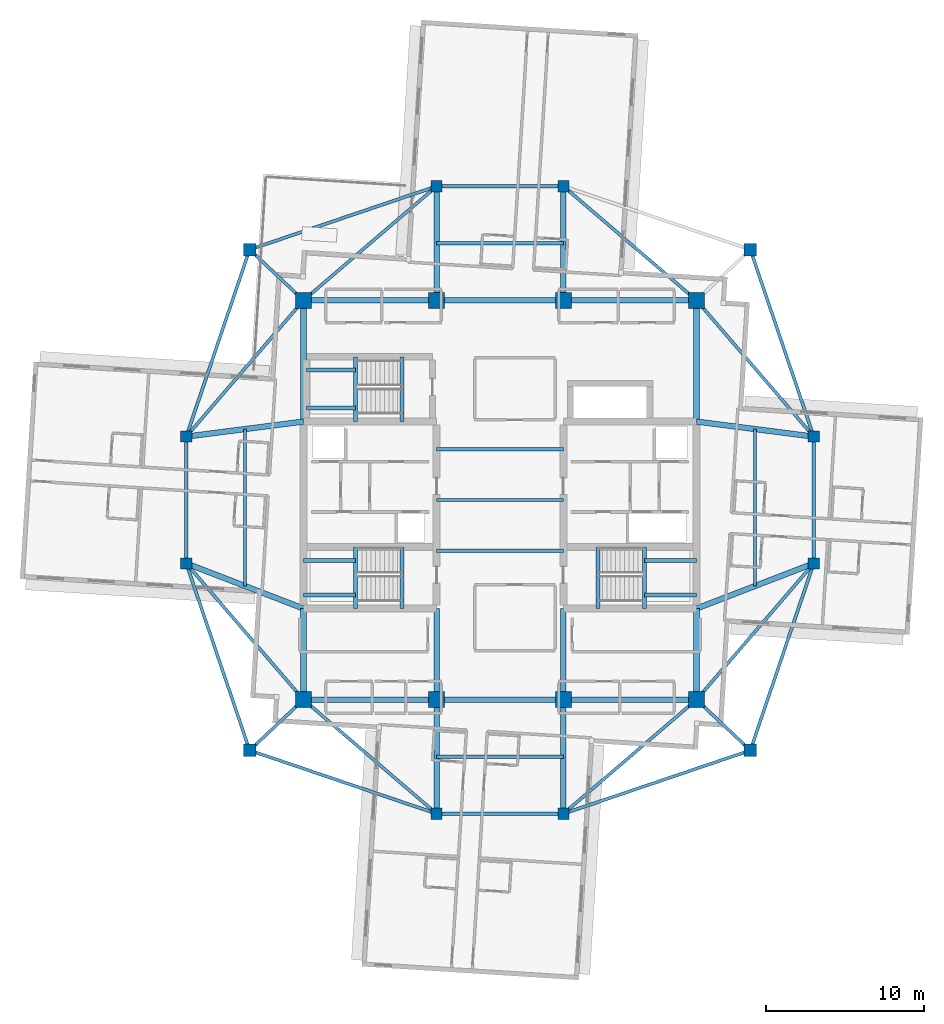
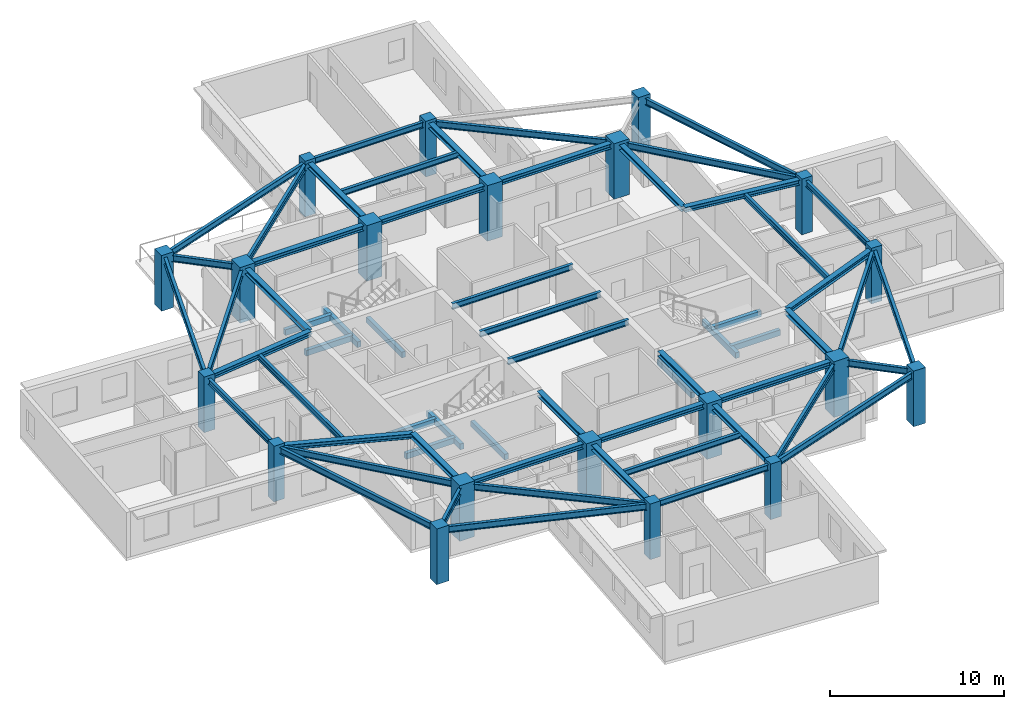
# One storey, part 1 of 12: 61 beams, 20 columns.
"""IFC4 building model written with IfcOpenShell, lengths in metres."""

from ifc_helpers import new_model, si_unit, direction, frame, origin, origin_2d, place, context, subcontext, project, spatial, rectangle, i_section, extrude, material, material_profile, profile_set, type_object, element, save


model = new_model("IFC4")

# Units and contexts
model_context = context("Model", 3, precision=1e-05, world=origin(), true_north=direction((0.0, 1.0)))
body_context = subcontext(model_context, "Body", "Model", "MODEL_VIEW")
ifc_project = project(units=[si_unit("LENGTHUNIT", "METRE"), si_unit("AREAUNIT", "SQUARE_METRE"), si_unit("VOLUMEUNIT", "CUBIC_METRE"), si_unit("PLANEANGLEUNIT", "RADIAN"), si_unit("MASSUNIT", "GRAM", prefix="KILO")], contexts=[model_context])

# Site, building, storey
site_placement = place(None, origin())
site = spatial("IfcSite", under=ifc_project, at=site_placement, CompositionType="ELEMENT")
building_placement = place(site_placement, origin())
building = spatial("IfcBuilding", under=site, at=building_placement, Name="Qingluan Cross Belvedere", CompositionType="ELEMENT")
storey_placement = place(building_placement, frame((0.0, 0.0, 249.89990234375)))
storey = spatial("IfcBuildingStorey", under=building, at=storey_placement, Name="L62", CompositionType="ELEMENT", Elevation=249.89990234375)

# Columns
ifc_material_1 = material(Name="Concrete C50", Category="concrete")
ifc_material_profile_1 = material_profile(ifc_material_1, rectangle(XDim=1.0, YDim=1.0, at=origin_2d()), Name="RC1000x1000")
ifc_profile_set_1 = profile_set([ifc_material_profile_1], Name="Concrete C50")
column_type_1 = type_object("IfcColumnType", Name="Column_RC1000x1000", PredefinedType="COLUMN", material=ifc_profile_set_1)
for number, where, z_axis, x_axis, name in (
    (1, (-12.39990234375, -12.60009765625, 0.0), (0.0, 0.0, 1.0), (1.0, 0.0, 0.0), "Hub column L62-HC1"),
    (2, (12.39990234375, -12.60009765625, 0.0), (0.0, 0.0, 1.0), (1.0, 0.0, 0.0), "Hub column L62-HC2"),
    (3, (12.39990234375, 12.60009765625, 0.0), (0.0, 0.0, 1.0), (1.0, 0.0, 0.0), "Hub column L62-HC3"),
    (4, (-12.39990234375, 12.60009765625, 0.0), (0.0, 0.0, 1.0), (1.0, 0.0, 0.0), "Hub column L62-HC4"),
    (5, (-4.0, -12.60009765625, 0.0), (0.0, 0.0, 1.0), (1.0, 0.0, 0.0), "Hub column L62-HC5"),
    (6, (4.0, -12.60009765625, 0.0), (0.0, 0.0, 1.0), (1.0, 0.0, 0.0), "Hub column L62-HC6"),
    (7, (4.0, 12.60009765625, 0.0), (0.0, 0.0, 1.0), (1.0, 0.0, 0.0), "Hub column L62-HC7"),
    (8, (-4.0, 12.60009765625, 0.0), (0.0, 0.0, 1.0), (1.0, 0.0, 0.0), "Hub column L62-HC8"),
):
    element("IfcColumn", number, at=place(storey_placement, frame(where, z_axis=z_axis, x_axis=x_axis)), inside=storey, type_object=column_type_1, Name=name, PredefinedType="COLUMN", context=body_context, shape_type="SweptSolid", body=[
        extrude(rectangle(XDim=1.0, YDim=1.0, at=origin_2d()), origin(), (0.0, 0.0, 1.0), 3.900146484375),
    ])
ifc_material_2 = material(Name="Concrete C50", Category="concrete")
ifc_material_profile_2 = material_profile(ifc_material_2, rectangle(XDim=0.699951171875, YDim=0.699951171875, at=origin_2d()), Name="RC700x700")
ifc_profile_set_2 = profile_set([ifc_material_profile_2], Name="Concrete C50")
column_type_2 = type_object("IfcColumnType", Name="Column_RC700x700", PredefinedType="COLUMN", material=ifc_profile_set_2)
for number, where, z_axis, x_axis, name in (
    (9, (19.800048828125, -4.0, 0.0), (0.0, 0.0, 1.0), (1.0, 0.0, 0.0), "Arm column L62-EIA"),
    (10, (19.800048828125, 4.0, 0.0), (0.0, 0.0, 1.0), (1.0, 0.0, 0.0), "Arm column L62-EIB"),
    (11, (-19.800048828125, -4.0, 0.0), (0.0, 0.0, 1.0), (1.0, 0.0, 0.0), "Arm column L62-WIA"),
    (12, (-19.800048828125, 4.0, 0.0), (0.0, 0.0, 1.0), (1.0, 0.0, 0.0), "Arm column L62-WIB"),
    (13, (-4.0, -19.800048828125, 0.0), (0.0, 0.0, 1.0), (1.0, 0.0, 0.0), "Arm column L62-SIA"),
    (14, (4.0, -19.800048828125, 0.0), (0.0, 0.0, 1.0), (1.0, 0.0, 0.0), "Arm column L62-SIB"),
    (15, (-4.0, 19.800048828125, 0.0), (0.0, 0.0, 1.0), (1.0, 0.0, 0.0), "Arm column L62-NIA"),
    (16, (4.0, 19.800048828125, 0.0), (0.0, 0.0, 1.0), (1.0, 0.0, 0.0), "Arm column L62-NIB"),
):
    element("IfcColumn", number, at=place(storey_placement, frame(where, z_axis=z_axis, x_axis=x_axis)), inside=storey, type_object=column_type_2, Name=name, PredefinedType="COLUMN", context=body_context, shape_type="SweptSolid", body=[
        extrude(rectangle(XDim=0.699951171875, YDim=0.699951171875, at=origin_2d()), origin(), (0.0, 0.0, 1.0), 3.900146484375),
    ])
ifc_material_3 = material(Name="Concrete C50", Category="concrete")
ifc_material_profile_3 = material_profile(ifc_material_3, rectangle(XDim=0.800048828125, YDim=0.800048828125, at=origin_2d()), Name="RC800x800")
ifc_profile_set_3 = profile_set([ifc_material_profile_3], Name="Concrete C50")
column_type_3 = type_object("IfcColumnType", Name="Column_RC800x800", PredefinedType="COLUMN", material=ifc_profile_set_3)
for number, where, z_axis, x_axis, name in (
    (17, (15.800048828125, 15.800048828125, 0.0), (0.0, 0.0, 1.0), (1.0, 0.0, 0.0), "Corner column L62-RNE"),
    (18, (-15.800048828125, 15.800048828125, 0.0), (0.0, 0.0, 1.0), (1.0, 0.0, 0.0), "Corner column L62-RNW"),
    (19, (-15.800048828125, -15.800048828125, 0.0), (0.0, 0.0, 1.0), (1.0, 0.0, 0.0), "Corner column L62-RSW"),
    (20, (15.800048828125, -15.800048828125, 0.0), (0.0, 0.0, 1.0), (1.0, 0.0, 0.0), "Corner column L62-RSE"),
):
    element("IfcColumn", number, at=place(storey_placement, frame(where, z_axis=z_axis, x_axis=x_axis)), inside=storey, type_object=column_type_3, Name=name, PredefinedType="COLUMN", context=body_context, shape_type="SweptSolid", body=[
        extrude(rectangle(XDim=0.800048828125, YDim=0.800048828125, at=origin_2d()), origin(), (0.0, 0.0, 1.0), 3.900146484375),
    ])

# Beams
ifc_material_4 = material(Name="Concrete C45", Category="concrete")
ifc_material_profile_4 = material_profile(ifc_material_4, rectangle(XDim=0.25, YDim=0.39990234375, at=origin_2d()), Name="RC250x400")
ifc_profile_set_4 = profile_set([ifc_material_profile_4], Name="Concrete C45")
beam_type_1 = type_object("IfcBeamType", Name="RC_Lintel_RC250x400", PredefinedType="LINTEL", material=ifc_profile_set_4)
for number, where, z_axis, x_axis, name in (
    (21, (-6.179931640625, -6.85009765625, -0.199951171875), (0.0, 1.0, 0.0), (-1.0, 0.0, 0.0), "Stair ST1 landing beam L62"),
    (22, (6.179931640625, -6.85009765625, -0.199951171875), (0.0, 1.0, 0.0), (-1.0, 0.0, 0.0), "Stair ST2 landing beam L62"),
):
    element("IfcBeam", number, at=place(storey_placement, frame(where, z_axis=z_axis, x_axis=x_axis)), inside=storey, type_object=beam_type_1, Name=name, PredefinedType="LINTEL", context=body_context, shape_type="SweptSolid", body=[
        extrude(rectangle(XDim=0.25, YDim=0.39990234375, at=origin_2d()), origin(), (0.0, 0.0, 1.0), 3.89013671875),
    ])
beam_1_placement = place(storey_placement, frame((-6.179931640625, 4.949951171875, -0.199951171875), z_axis=(0.0, 1.0, 0.0), x_axis=(-1.0, 0.0, 0.0)))
element("IfcBeam", 23, at=beam_1_placement, inside=storey, type_object=beam_type_1, Name="Stair ST3 landing beam L62", PredefinedType="LINTEL", context=body_context, shape_type="SweptSolid", body=[
    extrude(rectangle(XDim=0.25, YDim=0.39990234375, at=origin_2d()), origin(), (0.0, 0.0, 1.0), 4.090087890625),
])
beam_2_placement = place(storey_placement, frame((-9.1298828125, -6.85009765625, 1.550048828125), z_axis=(0.0, 1.0, 0.0), x_axis=(-1.0, 0.0, 0.0)))
element("IfcBeam", 24, at=beam_2_placement, inside=storey, type_object=beam_type_1, Name="Stair ST1 beam A L62", PredefinedType="LINTEL", context=body_context, shape_type="SweptSolid", body=[
    extrude(rectangle(XDim=0.25, YDim=0.39990234375, at=origin_2d()), origin(), (0.0, 0.0, 1.0), 3.89013671875),
])
for number, where, z_axis, x_axis, name in (
    (25, (-12.39990234375, -6.0, 1.550048828125), (1.0, 0.0, 0.0), (0.0, 1.0, 0.0), "Stair ST1 beam B L62"),
    (26, (-12.39990234375, -3.81005859375, 1.550048828125), (1.0, 0.0, 0.0), (0.0, 1.0, 0.0), "Stair ST1 beam C L62"),
):
    element("IfcBeam", number, at=place(storey_placement, frame(where, z_axis=z_axis, x_axis=x_axis)), inside=storey, type_object=beam_type_1, Name=name, PredefinedType="LINTEL", context=body_context, shape_type="SweptSolid", body=[
        extrude(rectangle(XDim=0.25, YDim=0.39990234375, at=origin_2d()), origin(), (0.0, 0.0, 1.0), 3.27001953125),
    ])
beam_3_placement = place(storey_placement, frame((9.1298828125, -6.85009765625, 1.550048828125), z_axis=(0.0, 1.0, 0.0), x_axis=(-1.0, 0.0, 0.0)))
element("IfcBeam", 27, at=beam_3_placement, inside=storey, type_object=beam_type_1, Name="Stair ST2 beam A L62", PredefinedType="LINTEL", context=body_context, shape_type="SweptSolid", body=[
    extrude(rectangle(XDim=0.25, YDim=0.39990234375, at=origin_2d()), origin(), (0.0, 0.0, 1.0), 3.89013671875),
])
for number, where, z_axis, x_axis, name in (
    (28, (12.39990234375, -6.0, 1.550048828125), (-1.0, 0.0, 0.0), (0.0, -1.0, 0.0), "Stair ST2 beam B L62"),
    (29, (12.39990234375, -3.81005859375, 1.550048828125), (-1.0, 0.0, 0.0), (0.0, -1.0, 0.0), "Stair ST2 beam C L62"),
):
    element("IfcBeam", number, at=place(storey_placement, frame(where, z_axis=z_axis, x_axis=x_axis)), inside=storey, type_object=beam_type_1, Name=name, PredefinedType="LINTEL", context=body_context, shape_type="SweptSolid", body=[
        extrude(rectangle(XDim=0.25, YDim=0.39990234375, at=origin_2d()), origin(), (0.0, 0.0, 1.0), 3.27001953125),
    ])
beam_4_placement = place(storey_placement, frame((-9.1298828125, 4.949951171875, 1.550048828125), z_axis=(0.0, 1.0, 0.0), x_axis=(-1.0, 0.0, 0.0)))
element("IfcBeam", 30, at=beam_4_placement, inside=storey, type_object=beam_type_1, Name="Stair ST3 beam A L62", PredefinedType="LINTEL", context=body_context, shape_type="SweptSolid", body=[
    extrude(rectangle(XDim=0.25, YDim=0.39990234375, at=origin_2d()), origin(), (0.0, 0.0, 1.0), 4.090087890625),
])
for number, where, z_axis, x_axis, name in (
    (31, (-12.219970703125, 5.800048828125, 1.550048828125), (1.0, 0.0, 0.0), (0.0, 1.0, 0.0), "Stair ST3 beam B L62"),
    (32, (-12.219970703125, 8.18994140625, 1.550048828125), (1.0, 0.0, 0.0), (0.0, 1.0, 0.0), "Stair ST3 beam C L62"),
):
    element("IfcBeam", number, at=place(storey_placement, frame(where, z_axis=z_axis, x_axis=x_axis)), inside=storey, type_object=beam_type_1, Name=name, PredefinedType="LINTEL", context=body_context, shape_type="SweptSolid", body=[
        extrude(rectangle(XDim=0.25, YDim=0.39990234375, at=origin_2d()), origin(), (0.0, 0.0, 1.0), 3.090087890625),
    ])
ifc_material_5 = material(Name="Steel Q420GJB", Category="steel")
ifc_material_profile_5 = material_profile(ifc_material_5, i_section(OverallWidth=0.199951171875, OverallDepth=0.39990234375, WebThickness=0.008056640625, FlangeThickness=0.012939453125, FilletRadius=0.012939453125, at=origin_2d()), Name="HN400x200x8x13")
ifc_profile_set_5 = profile_set([ifc_material_profile_5], Name="Steel Q420GJB")
beam_type_2 = type_object("IfcBeamType", Name="Steel_Beam_HN400x200x8x13", PredefinedType="JOIST", material=ifc_profile_set_5)
for number, where, z_axis, x_axis, name in (
    (33, (-4.0, -3.199951171875, 3.5), (1.0, 0.0, 0.0), (0.0, 1.0, 0.0), "Hall beam L62-CH1"),
    (34, (-4.0, 0.0, 3.5), (1.0, 0.0, 0.0), (0.0, 1.0, 0.0), "Hall beam L62-CH2"),
    (35, (-4.0, 3.199951171875, 3.5), (1.0, 0.0, 0.0), (0.0, 1.0, 0.0), "Hall beam L62-CH3"),
    (36, (19.800048828125, -4.0, 3.5), (0.0, 1.0, 0.0), (-1.0, 0.0, 0.0), "Arm E tie L62"),
):
    element("IfcBeam", number, at=place(storey_placement, frame(where, z_axis=z_axis, x_axis=x_axis)), inside=storey, type_object=beam_type_2, Name=name, PredefinedType="JOIST", context=body_context, shape_type="SweptSolid", body=[
        extrude(i_section(OverallWidth=0.199951171875, OverallDepth=0.39990234375, WebThickness=0.008056640625, FlangeThickness=0.012939453125, FilletRadius=0.012939453125, at=origin_2d()), origin(), (0.0, 0.0, 1.0), 8.0),
    ])
beam_5_placement = place(storey_placement, frame((16.10009765625, -5.425048828125, 3.5), z_axis=(0.0, 1.0, 0.0), x_axis=(-1.0, 0.0, 0.0)))
element("IfcBeam", 37, at=beam_5_placement, inside=storey, type_object=beam_type_2, Name="Arm E beam L62", PredefinedType="JOIST", context=body_context, shape_type="SweptSolid", body=[
    extrude(i_section(OverallWidth=0.199951171875, OverallDepth=0.39990234375, WebThickness=0.008056640625, FlangeThickness=0.012939453125, FilletRadius=0.012939453125, at=origin_2d()), origin(), (0.0, 0.0, 1.0), 9.900146484375),
])
beam_6_placement = place(storey_placement, frame((-19.800048828125, -4.0, 3.5), z_axis=(0.0, 1.0, 0.0), x_axis=(-1.0, 0.0, 0.0)))
element("IfcBeam", 38, at=beam_6_placement, inside=storey, type_object=beam_type_2, Name="Arm W tie L62", PredefinedType="JOIST", context=body_context, shape_type="SweptSolid", body=[
    extrude(i_section(OverallWidth=0.199951171875, OverallDepth=0.39990234375, WebThickness=0.008056640625, FlangeThickness=0.012939453125, FilletRadius=0.012939453125, at=origin_2d()), origin(), (0.0, 0.0, 1.0), 8.0),
])
beam_7_placement = place(storey_placement, frame((-16.10009765625, -5.425048828125, 3.5), z_axis=(0.0, 1.0, 0.0), x_axis=(-1.0, 0.0, 0.0)))
element("IfcBeam", 39, at=beam_7_placement, inside=storey, type_object=beam_type_2, Name="Arm W beam L62", PredefinedType="JOIST", context=body_context, shape_type="SweptSolid", body=[
    extrude(i_section(OverallWidth=0.199951171875, OverallDepth=0.39990234375, WebThickness=0.008056640625, FlangeThickness=0.012939453125, FilletRadius=0.012939453125, at=origin_2d()), origin(), (0.0, 0.0, 1.0), 9.900146484375),
])
for number, where, z_axis, x_axis, name in (
    (40, (-4.0, 19.800048828125, 3.5), (1.0, 0.0, 0.0), (0.0, 1.0, 0.0), "Arm N tie L62"),
    (41, (-4.0, 16.199951171875, 3.5), (1.0, 0.0, 0.0), (0.0, 1.0, 0.0), "Arm N beam L62"),
    (42, (-4.0, -19.800048828125, 3.5), (1.0, 0.0, 0.0), (0.0, 1.0, 0.0), "Arm S tie L62"),
    (43, (-4.0, -16.199951171875, 3.5), (1.0, 0.0, 0.0), (0.0, 1.0, 0.0), "Arm S beam L62"),
):
    element("IfcBeam", number, at=place(storey_placement, frame(where, z_axis=z_axis, x_axis=x_axis)), inside=storey, type_object=beam_type_2, Name=name, PredefinedType="JOIST", context=body_context, shape_type="SweptSolid", body=[
        extrude(i_section(OverallWidth=0.199951171875, OverallDepth=0.39990234375, WebThickness=0.008056640625, FlangeThickness=0.012939453125, FilletRadius=0.012939453125, at=origin_2d()), origin(), (0.0, 0.0, 1.0), 8.0),
    ])
ifc_material_6 = material(Name="Steel Q420GJB", Category="steel")
ifc_material_profile_6 = material_profile(ifc_material_6, i_section(OverallWidth=0.199951171875, OverallDepth=0.449951171875, WebThickness=0.009033203125, FlangeThickness=0.013916015625, FilletRadius=0.01611328125, at=origin_2d()), Name="HN450x200x9x14")
ifc_profile_set_6 = profile_set([ifc_material_profile_6], Name="Steel Q420GJB")
beam_type_3 = type_object("IfcBeamType", Name="Steel_Beam_HN450x200x9x14", PredefinedType="JOIST", material=ifc_profile_set_6)
beam_8_placement = place(storey_placement, frame((15.800048828125, 15.800048828125, 3.47509765625), z_axis=(0.321038089628, -0.947066283324, 0.0), x_axis=(0.947066283324, 0.321038089628, 0.0)))
element("IfcBeam", 44, at=beam_8_placement, inside=storey, type_object=beam_type_3, Name="Corner beam 3 L62-RNE", PredefinedType="JOIST", context=body_context, shape_type="SweptSolid", body=[
    extrude(i_section(OverallWidth=0.199951171875, OverallDepth=0.449951171875, WebThickness=0.009033203125, FlangeThickness=0.013916015625, FilletRadius=0.01611328125, at=origin_2d()), origin(), (0.0, 0.0, 1.0), 12.45947265625),
])
beam_9_placement = place(storey_placement, frame((12.39990234375, 12.60009765625, 3.47509765625), z_axis=(0.652245077546, -0.75800815221, 0.0), x_axis=(0.75800815221, 0.652245077546, 0.0)))
element("IfcBeam", 45, at=beam_9_placement, inside=storey, type_object=beam_type_3, Name="Corner beam 4 L62-RNE", PredefinedType="JOIST", context=body_context, shape_type="SweptSolid", body=[
    extrude(i_section(OverallWidth=0.199951171875, OverallDepth=0.449951171875, WebThickness=0.009033203125, FlangeThickness=0.013916015625, FilletRadius=0.01611328125, at=origin_2d()), origin(), (0.0, 0.0, 1.0), 11.345703125),
])
beam_10_placement = place(storey_placement, frame((12.39990234375, 12.60009765625, 3.47509765625), z_axis=(-0.759255044656, 0.650793190779, 0.0), x_axis=(-0.650793190779, -0.759255044656, 0.0)))
element("IfcBeam", 46, at=beam_10_placement, inside=storey, type_object=beam_type_3, Name="Corner beam 5 L62-RNE", PredefinedType="JOIST", context=body_context, shape_type="SweptSolid", body=[
    extrude(i_section(OverallWidth=0.199951171875, OverallDepth=0.449951171875, WebThickness=0.009033203125, FlangeThickness=0.013916015625, FilletRadius=0.01611328125, at=origin_2d()), origin(), (0.0, 0.0, 1.0), 11.063232421875),
])
beam_11_placement = place(storey_placement, frame((-12.39990234375, 12.60009765625, 3.455078125), z_axis=(-0.728219948308, 0.685343495546, 0.0), x_axis=(-0.685343495546, -0.728219948308, 0.0)))
element("IfcBeam", 47, at=beam_11_placement, inside=storey, type_object=beam_type_3, Name="Corner beam 1 L62-RNW", PredefinedType="JOIST", context=body_context, shape_type="SweptSolid", body=[
    extrude(i_section(OverallWidth=0.199951171875, OverallDepth=0.449951171875, WebThickness=0.009033203125, FlangeThickness=0.013916015625, FilletRadius=0.01611328125, at=origin_2d()), origin(), (0.0, 0.0, 1.0), 4.669189453125),
])
for number, where, z_axis, x_axis, name in (
    (48, (-15.800048828125, 15.800048828125, 3.455078125), (0.947066283324, 0.321038089628, 0.0), (-0.321038089628, 0.947066283324, 0.0), "Corner beam 2 L62-RNW"),
    (49, (-15.800048828125, 15.800048828125, 3.47509765625), (-0.321038089628, -0.947066283324, 0.0), (0.947066283324, -0.321038089628, 0.0), "Corner beam 3 L62-RNW"),
):
    element("IfcBeam", number, at=place(storey_placement, frame(where, z_axis=z_axis, x_axis=x_axis)), inside=storey, type_object=beam_type_3, Name=name, PredefinedType="JOIST", context=body_context, shape_type="SweptSolid", body=[
        extrude(i_section(OverallWidth=0.199951171875, OverallDepth=0.449951171875, WebThickness=0.009033203125, FlangeThickness=0.013916015625, FilletRadius=0.01611328125, at=origin_2d()), origin(), (0.0, 0.0, 1.0), 12.45947265625),
    ])
beam_12_placement = place(storey_placement, frame((-12.39990234375, 12.60009765625, 3.455078125), z_axis=(-0.652245077546, -0.75800815221, 0.0), x_axis=(0.75800815221, -0.652245077546, 0.0)))
element("IfcBeam", 50, at=beam_12_placement, inside=storey, type_object=beam_type_3, Name="Corner beam 4 L62-RNW", PredefinedType="JOIST", context=body_context, shape_type="SweptSolid", body=[
    extrude(i_section(OverallWidth=0.199951171875, OverallDepth=0.449951171875, WebThickness=0.009033203125, FlangeThickness=0.013916015625, FilletRadius=0.01611328125, at=origin_2d()), origin(), (0.0, 0.0, 1.0), 11.345703125),
])
beam_13_placement = place(storey_placement, frame((-12.39990234375, 12.60009765625, 3.455078125), z_axis=(0.759255044656, 0.650793190779, 0.0), x_axis=(-0.650793190779, 0.759255044656, 0.0)))
element("IfcBeam", 51, at=beam_13_placement, inside=storey, type_object=beam_type_3, Name="Corner beam 5 L62-RNW", PredefinedType="JOIST", context=body_context, shape_type="SweptSolid", body=[
    extrude(i_section(OverallWidth=0.199951171875, OverallDepth=0.449951171875, WebThickness=0.009033203125, FlangeThickness=0.013916015625, FilletRadius=0.01611328125, at=origin_2d()), origin(), (0.0, 0.0, 1.0), 11.063232421875),
])
beam_14_placement = place(storey_placement, frame((-12.39990234375, -12.60009765625, 3.47509765625), z_axis=(-0.728219948308, -0.685343495546, 0.0), x_axis=(0.685343495546, -0.728219948308, 0.0)))
element("IfcBeam", 52, at=beam_14_placement, inside=storey, type_object=beam_type_3, Name="Corner beam 1 L62-RSW", PredefinedType="JOIST", context=body_context, shape_type="SweptSolid", body=[
    extrude(i_section(OverallWidth=0.199951171875, OverallDepth=0.449951171875, WebThickness=0.009033203125, FlangeThickness=0.013916015625, FilletRadius=0.01611328125, at=origin_2d()), origin(), (0.0, 0.0, 1.0), 4.669189453125),
])
for number, where, z_axis, x_axis, name in (
    (53, (-15.800048828125, -15.800048828125, 3.47509765625), (0.947066283324, -0.321038089628, 0.0), (0.321038089628, 0.947066283324, 0.0), "Corner beam 2 L62-RSW"),
    (54, (-15.800048828125, -15.800048828125, 3.47509765625), (-0.321038089628, 0.947066283324, 0.0), (-0.947066283324, -0.321038089628, 0.0), "Corner beam 3 L62-RSW"),
):
    element("IfcBeam", number, at=place(storey_placement, frame(where, z_axis=z_axis, x_axis=x_axis)), inside=storey, type_object=beam_type_3, Name=name, PredefinedType="JOIST", context=body_context, shape_type="SweptSolid", body=[
        extrude(i_section(OverallWidth=0.199951171875, OverallDepth=0.449951171875, WebThickness=0.009033203125, FlangeThickness=0.013916015625, FilletRadius=0.01611328125, at=origin_2d()), origin(), (0.0, 0.0, 1.0), 12.45947265625),
    ])
beam_15_placement = place(storey_placement, frame((-12.39990234375, -12.60009765625, 3.47509765625), z_axis=(-0.652245077546, 0.75800815221, 0.0), x_axis=(-0.75800815221, -0.652245077546, 0.0)))
element("IfcBeam", 55, at=beam_15_placement, inside=storey, type_object=beam_type_3, Name="Corner beam 4 L62-RSW", PredefinedType="JOIST", context=body_context, shape_type="SweptSolid", body=[
    extrude(i_section(OverallWidth=0.199951171875, OverallDepth=0.449951171875, WebThickness=0.009033203125, FlangeThickness=0.013916015625, FilletRadius=0.01611328125, at=origin_2d()), origin(), (0.0, 0.0, 1.0), 11.345703125),
])
beam_16_placement = place(storey_placement, frame((-12.39990234375, -12.60009765625, 3.47509765625), z_axis=(0.759255044656, -0.650793190779, 0.0), x_axis=(0.650793190779, 0.759255044656, 0.0)))
element("IfcBeam", 56, at=beam_16_placement, inside=storey, type_object=beam_type_3, Name="Corner beam 5 L62-RSW", PredefinedType="JOIST", context=body_context, shape_type="SweptSolid", body=[
    extrude(i_section(OverallWidth=0.199951171875, OverallDepth=0.449951171875, WebThickness=0.009033203125, FlangeThickness=0.013916015625, FilletRadius=0.01611328125, at=origin_2d()), origin(), (0.0, 0.0, 1.0), 11.063232421875),
])
beam_17_placement = place(storey_placement, frame((12.39990234375, -12.60009765625, 3.47509765625), z_axis=(0.728219948308, -0.685343495546, 0.0), x_axis=(0.685343495546, 0.728219948308, 0.0)))
element("IfcBeam", 57, at=beam_17_placement, inside=storey, type_object=beam_type_3, Name="Corner beam 1 L62-RSE", PredefinedType="JOIST", context=body_context, shape_type="SweptSolid", body=[
    extrude(i_section(OverallWidth=0.199951171875, OverallDepth=0.449951171875, WebThickness=0.009033203125, FlangeThickness=0.013916015625, FilletRadius=0.01611328125, at=origin_2d()), origin(), (0.0, 0.0, 1.0), 4.669189453125),
])
for number, where, z_axis, x_axis, name in (
    (58, (15.800048828125, -15.800048828125, 3.47509765625), (-0.947066283324, -0.321038089628, 0.0), (0.321038089628, -0.947066283324, 0.0), "Corner beam 2 L62-RSE"),
    (59, (15.800048828125, -15.800048828125, 3.47509765625), (0.321038089628, 0.947066283324, 0.0), (-0.947066283324, 0.321038089628, 0.0), "Corner beam 3 L62-RSE"),
):
    element("IfcBeam", number, at=place(storey_placement, frame(where, z_axis=z_axis, x_axis=x_axis)), inside=storey, type_object=beam_type_3, Name=name, PredefinedType="JOIST", context=body_context, shape_type="SweptSolid", body=[
        extrude(i_section(OverallWidth=0.199951171875, OverallDepth=0.449951171875, WebThickness=0.009033203125, FlangeThickness=0.013916015625, FilletRadius=0.01611328125, at=origin_2d()), origin(), (0.0, 0.0, 1.0), 12.45947265625),
    ])
beam_18_placement = place(storey_placement, frame((12.39990234375, -12.60009765625, 3.47509765625), z_axis=(0.652245077546, 0.75800815221, 0.0), x_axis=(-0.75800815221, 0.652245077546, 0.0)))
element("IfcBeam", 60, at=beam_18_placement, inside=storey, type_object=beam_type_3, Name="Corner beam 4 L62-RSE", PredefinedType="JOIST", context=body_context, shape_type="SweptSolid", body=[
    extrude(i_section(OverallWidth=0.199951171875, OverallDepth=0.449951171875, WebThickness=0.009033203125, FlangeThickness=0.013916015625, FilletRadius=0.01611328125, at=origin_2d()), origin(), (0.0, 0.0, 1.0), 11.345703125),
])
beam_19_placement = place(storey_placement, frame((12.39990234375, -12.60009765625, 3.47509765625), z_axis=(-0.759255044656, -0.650793190779, 0.0), x_axis=(0.650793190779, -0.759255044656, 0.0)))
element("IfcBeam", 61, at=beam_19_placement, inside=storey, type_object=beam_type_3, Name="Corner beam 5 L62-RSE", PredefinedType="JOIST", context=body_context, shape_type="SweptSolid", body=[
    extrude(i_section(OverallWidth=0.199951171875, OverallDepth=0.449951171875, WebThickness=0.009033203125, FlangeThickness=0.013916015625, FilletRadius=0.01611328125, at=origin_2d()), origin(), (0.0, 0.0, 1.0), 11.063232421875),
])
ifc_material_7 = material(Name="Steel Q420GJB", Category="steel")
ifc_material_profile_7 = material_profile(ifc_material_7, i_section(OverallWidth=0.35009765625, OverallDepth=0.35009765625, WebThickness=0.011962890625, FlangeThickness=0.01904296875, FilletRadius=0.02001953125, at=origin_2d()), Name="HW350x350x12x19")
ifc_profile_set_7 = profile_set([ifc_material_profile_7], Name="Steel Q420GJB")
beam_type_4 = type_object("IfcBeamType", Name="Steel_Girder_HW350x350x12x19", PredefinedType="USERDEFINED", material=ifc_profile_set_7)
beam_20_placement = place(storey_placement, frame((-12.39990234375, -12.60009765625, 3.525146484375), z_axis=(1.0, 0.0, 0.0), x_axis=(0.0, 1.0, 0.0)))
element("IfcBeam", 62, at=beam_20_placement, inside=storey, type_object=beam_type_4, Name="Hub girder L62-HG-S1", ObjectType="GIRDER", PredefinedType="USERDEFINED", context=body_context, shape_type="SweptSolid", body=[
    extrude(i_section(OverallWidth=0.35009765625, OverallDepth=0.35009765625, WebThickness=0.011962890625, FlangeThickness=0.01904296875, FilletRadius=0.02001953125, at=origin_2d()), origin(), (0.0, 0.0, 1.0), 8.39990234375),
])
beam_21_placement = place(storey_placement, frame((-4.0, -12.60009765625, 3.525146484375), z_axis=(1.0, 0.0, 0.0), x_axis=(0.0, 1.0, 0.0)))
element("IfcBeam", 63, at=beam_21_placement, inside=storey, type_object=beam_type_4, Name="Hub girder L62-HG-S2", ObjectType="GIRDER", PredefinedType="USERDEFINED", context=body_context, shape_type="SweptSolid", body=[
    extrude(i_section(OverallWidth=0.35009765625, OverallDepth=0.35009765625, WebThickness=0.011962890625, FlangeThickness=0.01904296875, FilletRadius=0.02001953125, at=origin_2d()), origin(), (0.0, 0.0, 1.0), 8.0),
])
for number, where, z_axis, x_axis, name in (
    (64, (4.0, -12.60009765625, 3.525146484375), (1.0, 0.0, 0.0), (0.0, 1.0, 0.0), "Hub girder L62-HG-S3"),
    (65, (-12.39990234375, 12.60009765625, 3.525146484375), (1.0, 0.0, 0.0), (0.0, 1.0, 0.0), "Hub girder L62-HG-N1"),
):
    element("IfcBeam", number, at=place(storey_placement, frame(where, z_axis=z_axis, x_axis=x_axis)), inside=storey, type_object=beam_type_4, Name=name, ObjectType="GIRDER", PredefinedType="USERDEFINED", context=body_context, shape_type="SweptSolid", body=[
        extrude(i_section(OverallWidth=0.35009765625, OverallDepth=0.35009765625, WebThickness=0.011962890625, FlangeThickness=0.01904296875, FilletRadius=0.02001953125, at=origin_2d()), origin(), (0.0, 0.0, 1.0), 8.39990234375),
    ])
beam_22_placement = place(storey_placement, frame((-4.0, 12.60009765625, 3.525146484375), z_axis=(1.0, 0.0, 0.0), x_axis=(0.0, 1.0, 0.0)))
element("IfcBeam", 66, at=beam_22_placement, inside=storey, type_object=beam_type_4, Name="Hub girder L62-HG-N2", ObjectType="GIRDER", PredefinedType="USERDEFINED", context=body_context, shape_type="SweptSolid", body=[
    extrude(i_section(OverallWidth=0.35009765625, OverallDepth=0.35009765625, WebThickness=0.011962890625, FlangeThickness=0.01904296875, FilletRadius=0.02001953125, at=origin_2d()), origin(), (0.0, 0.0, 1.0), 8.0),
])
beam_23_placement = place(storey_placement, frame((4.0, 12.60009765625, 3.525146484375), z_axis=(1.0, 0.0, 0.0), x_axis=(0.0, 1.0, 0.0)))
element("IfcBeam", 67, at=beam_23_placement, inside=storey, type_object=beam_type_4, Name="Hub girder L62-HG-N3", ObjectType="GIRDER", PredefinedType="USERDEFINED", context=body_context, shape_type="SweptSolid", body=[
    extrude(i_section(OverallWidth=0.35009765625, OverallDepth=0.35009765625, WebThickness=0.011962890625, FlangeThickness=0.01904296875, FilletRadius=0.02001953125, at=origin_2d()), origin(), (0.0, 0.0, 1.0), 8.39990234375),
])
beam_24_placement = place(storey_placement, frame((-12.39990234375, -12.60009765625, 3.525146484375), z_axis=(0.0, 1.0, 0.0), x_axis=(-1.0, 0.0, 0.0)))
element("IfcBeam", 68, at=beam_24_placement, inside=storey, type_object=beam_type_4, Name="Hub girder L62-HG-W1", ObjectType="GIRDER", PredefinedType="USERDEFINED", context=body_context, shape_type="SweptSolid", body=[
    extrude(i_section(OverallWidth=0.35009765625, OverallDepth=0.35009765625, WebThickness=0.011962890625, FlangeThickness=0.01904296875, FilletRadius=0.02001953125, at=origin_2d()), origin(), (0.0, 0.0, 1.0), 5.75),
])
beam_25_placement = place(storey_placement, frame((-12.39990234375, 4.949951171875, 3.525146484375), z_axis=(0.0, 1.0, 0.0), x_axis=(-1.0, 0.0, 0.0)))
element("IfcBeam", 69, at=beam_25_placement, inside=storey, type_object=beam_type_4, Name="Hub girder L62-HG-W2", ObjectType="GIRDER", PredefinedType="USERDEFINED", context=body_context, shape_type="SweptSolid", body=[
    extrude(i_section(OverallWidth=0.35009765625, OverallDepth=0.35009765625, WebThickness=0.011962890625, FlangeThickness=0.01904296875, FilletRadius=0.02001953125, at=origin_2d()), origin(), (0.0, 0.0, 1.0), 7.650146484375),
])
beam_26_placement = place(storey_placement, frame((12.39990234375, -12.60009765625, 3.525146484375), z_axis=(0.0, 1.0, 0.0), x_axis=(-1.0, 0.0, 0.0)))
element("IfcBeam", 70, at=beam_26_placement, inside=storey, type_object=beam_type_4, Name="Hub girder L62-HG-E1", ObjectType="GIRDER", PredefinedType="USERDEFINED", context=body_context, shape_type="SweptSolid", body=[
    extrude(i_section(OverallWidth=0.35009765625, OverallDepth=0.35009765625, WebThickness=0.011962890625, FlangeThickness=0.01904296875, FilletRadius=0.02001953125, at=origin_2d()), origin(), (0.0, 0.0, 1.0), 5.75),
])
beam_27_placement = place(storey_placement, frame((12.39990234375, 4.949951171875, 3.525146484375), z_axis=(0.0, 1.0, 0.0), x_axis=(-1.0, 0.0, 0.0)))
element("IfcBeam", 71, at=beam_27_placement, inside=storey, type_object=beam_type_4, Name="Hub girder L62-HG-E2", ObjectType="GIRDER", PredefinedType="USERDEFINED", context=body_context, shape_type="SweptSolid", body=[
    extrude(i_section(OverallWidth=0.35009765625, OverallDepth=0.35009765625, WebThickness=0.011962890625, FlangeThickness=0.01904296875, FilletRadius=0.02001953125, at=origin_2d()), origin(), (0.0, 0.0, 1.0), 7.650146484375),
])
for number, where, z_axis, x_axis, name in (
    (72, (-4.0, -12.60009765625, 3.525146484375), (0.0, 1.0, 0.0), (-1.0, 0.0, 0.0), "Hub girder L62-HG-CW"),
    (73, (4.0, -12.60009765625, 3.525146484375), (0.0, 1.0, 0.0), (-1.0, 0.0, 0.0), "Hub girder L62-HG-CE"),
):
    element("IfcBeam", number, at=place(storey_placement, frame(where, z_axis=z_axis, x_axis=x_axis)), inside=storey, type_object=beam_type_4, Name=name, ObjectType="GIRDER", PredefinedType="USERDEFINED", context=body_context, shape_type="SweptSolid", body=[
        extrude(i_section(OverallWidth=0.35009765625, OverallDepth=0.35009765625, WebThickness=0.011962890625, FlangeThickness=0.01904296875, FilletRadius=0.02001953125, at=origin_2d()), origin(), (0.0, 0.0, 1.0), 5.75),
    ])
beam_28_placement = place(storey_placement, frame((12.39990234375, -6.85009765625, 3.525146484375), z_axis=(0.933181258889, 0.359406090735, 0.0), x_axis=(-0.359406090735, 0.933181258889, 0.0)))
element("IfcBeam", 74, at=beam_28_placement, inside=storey, type_object=beam_type_4, Name="Arm E radial girder A L62", ObjectType="GIRDER", PredefinedType="USERDEFINED", context=body_context, shape_type="SweptSolid", body=[
    extrude(i_section(OverallWidth=0.35009765625, OverallDepth=0.35009765625, WebThickness=0.011962890625, FlangeThickness=0.01904296875, FilletRadius=0.02001953125, at=origin_2d()), origin(), (0.0, 0.0, 1.0), 7.929931640625),
])
beam_29_placement = place(storey_placement, frame((12.39990234375, 4.949951171875, 3.525146484375), z_axis=(0.991861120628, -0.12732445714, 0.0), x_axis=(0.12732445714, 0.991861120628, 0.0)))
element("IfcBeam", 75, at=beam_29_placement, inside=storey, type_object=beam_type_4, Name="Arm E radial girder B L62", ObjectType="GIRDER", PredefinedType="USERDEFINED", context=body_context, shape_type="SweptSolid", body=[
    extrude(i_section(OverallWidth=0.35009765625, OverallDepth=0.35009765625, WebThickness=0.011962890625, FlangeThickness=0.01904296875, FilletRadius=0.02001953125, at=origin_2d()), origin(), (0.0, 0.0, 1.0), 7.4609375),
])
beam_30_placement = place(storey_placement, frame((-12.39990234375, -6.85009765625, 3.525146484375), z_axis=(-0.933181258889, 0.359406090735, 0.0), x_axis=(-0.359406090735, -0.933181258889, 0.0)))
element("IfcBeam", 76, at=beam_30_placement, inside=storey, type_object=beam_type_4, Name="Arm W radial girder A L62", ObjectType="GIRDER", PredefinedType="USERDEFINED", context=body_context, shape_type="SweptSolid", body=[
    extrude(i_section(OverallWidth=0.35009765625, OverallDepth=0.35009765625, WebThickness=0.011962890625, FlangeThickness=0.01904296875, FilletRadius=0.02001953125, at=origin_2d()), origin(), (0.0, 0.0, 1.0), 7.929931640625),
])
beam_31_placement = place(storey_placement, frame((-12.39990234375, 4.949951171875, 3.525146484375), z_axis=(-0.991861120628, -0.12732445714, 0.0), x_axis=(0.12732445714, -0.991861120628, 0.0)))
element("IfcBeam", 77, at=beam_31_placement, inside=storey, type_object=beam_type_4, Name="Arm W radial girder B L62", ObjectType="GIRDER", PredefinedType="USERDEFINED", context=body_context, shape_type="SweptSolid", body=[
    extrude(i_section(OverallWidth=0.35009765625, OverallDepth=0.35009765625, WebThickness=0.011962890625, FlangeThickness=0.01904296875, FilletRadius=0.02001953125, at=origin_2d()), origin(), (0.0, 0.0, 1.0), 7.4609375),
])
for number, where, z_axis, x_axis, name in (
    (78, (-4.0, 12.60009765625, 3.525146484375), (0.0, 1.0, 0.0), (-1.0, 0.0, 0.0), "Arm N radial girder A L62"),
    (79, (4.0, 12.60009765625, 3.525146484375), (0.0, 1.0, 0.0), (-1.0, 0.0, 0.0), "Arm N radial girder B L62"),
    (80, (-4.0, -12.60009765625, 3.525146484375), (0.0, -1.0, 0.0), (1.0, 0.0, 0.0), "Arm S radial girder A L62"),
    (81, (4.0, -12.60009765625, 3.525146484375), (0.0, -1.0, 0.0), (1.0, 0.0, 0.0), "Arm S radial girder B L62"),
):
    element("IfcBeam", number, at=place(storey_placement, frame(where, z_axis=z_axis, x_axis=x_axis)), inside=storey, type_object=beam_type_4, Name=name, ObjectType="GIRDER", PredefinedType="USERDEFINED", context=body_context, shape_type="SweptSolid", body=[
        extrude(i_section(OverallWidth=0.35009765625, OverallDepth=0.35009765625, WebThickness=0.011962890625, FlangeThickness=0.01904296875, FilletRadius=0.02001953125, at=origin_2d()), origin(), (0.0, 0.0, 1.0), 7.199951171875),
    ])

save(model, "model.ifc")
